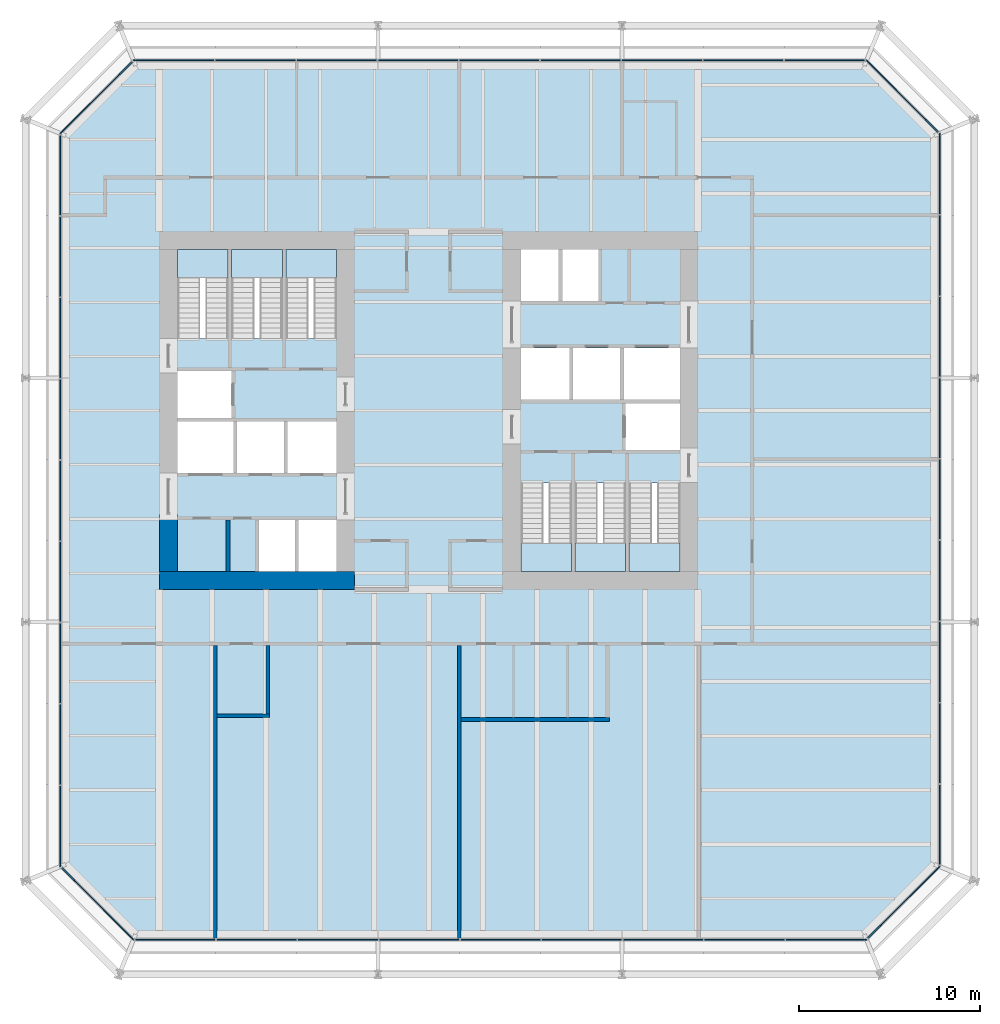
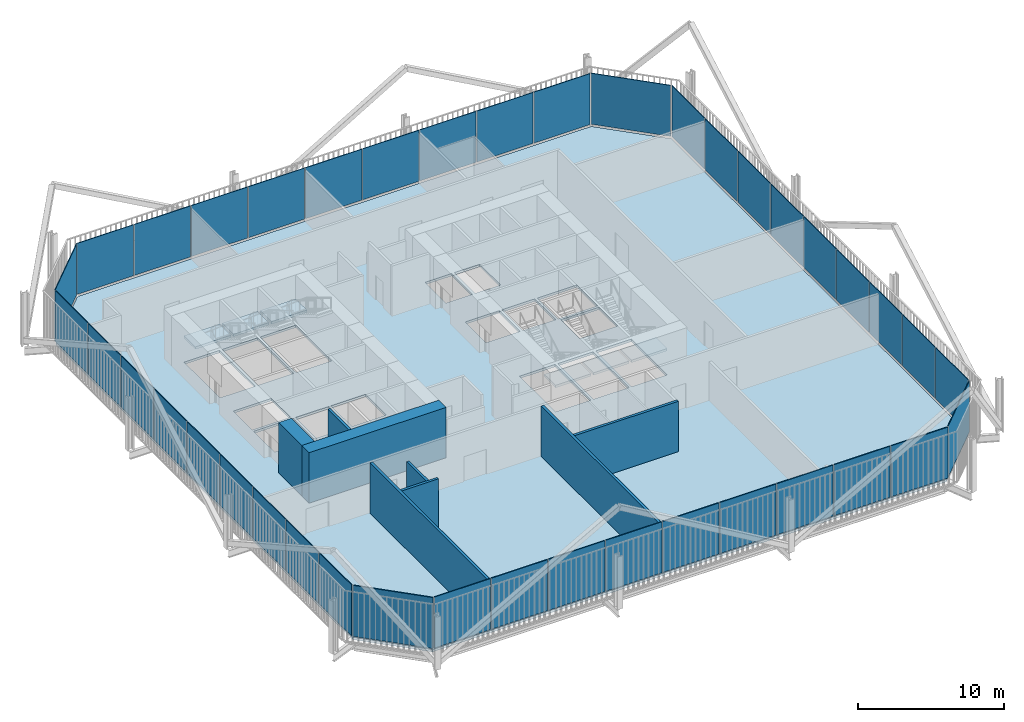
# One storey, part 16 of 21: 40 plates, 8 walls, 7 slabs, 14 elements without a shape of their own.
"""IFC4 building model written with IfcOpenShell, lengths in metres."""

from ifc_helpers import new_model, si_unit, direction, frame, frame_2d, origin, place, context, subcontext, project, spatial, polyline, rectangle, outline, extrude, material, layer, layer_set, type_object, element, aggregate, save


model = new_model("IFC4")

# Units and contexts
model_context = context("Model", 3, precision=1e-05, world=origin(), true_north=direction((0.0, 1.0)))
body_context = subcontext(model_context, "Body", "Model", "MODEL_VIEW")
ifc_project = project(units=[si_unit("LENGTHUNIT", "METRE"), si_unit("AREAUNIT", "SQUARE_METRE"), si_unit("VOLUMEUNIT", "CUBIC_METRE"), si_unit("PLANEANGLEUNIT", "RADIAN"), si_unit("MASSUNIT", "GRAM", prefix="KILO")], contexts=[model_context])

# Site, building, storey
site_placement = place(None, origin())
site = spatial("IfcSite", under=ifc_project, at=site_placement, CompositionType="ELEMENT")
building_placement = place(site_placement, origin())
building = spatial("IfcBuilding", under=site, at=building_placement, Name="Millrace Tower", CompositionType="ELEMENT")
storey_placement = place(building_placement, frame((0.0, 0.0, 82.0)))
storey = spatial("IfcBuildingStorey", under=building, at=storey_placement, Name="L18", CompositionType="ELEMENT", Elevation=82.0)

# Curtain wall, plate
ifc_material_1 = material(Name="Aluminium and glass", Category="aluminium")
ifc_layer_1 = layer(ifc_material_1, 0.14990234375)
ifc_layer_set_1 = layer_set([ifc_layer_1], Name="Aluminium and glass")
curtain_wall_type = type_object("IfcCurtainWallType", Name="CW-3 telecom floor curtain wall", PredefinedType="NOTDEFINED", material=ifc_layer_set_1)
placement_1 = place(storey_placement, origin())
curtain_wall_1 = element("IfcCurtainWall", 1, at=placement_1, inside=storey, type_object=curtain_wall_type, Name="Curtain wall B-F01 L18", PredefinedType="NOTDEFINED")
ifc_material_2 = material(Name="Glass", Category="glass")
ifc_layer_2 = layer(ifc_material_2, 0.06005859375)
ifc_layer_set_2 = layer_set([ifc_layer_2], Name="Glass")
plate_type = type_object("IfcPlateType", Name="CW-3 telecom floor curtain wall triple-glazed panel with spandrel", PredefinedType="CURTAIN_PANEL", material=ifc_layer_set_2)
placement_2 = place(storey_placement, frame((0.0, 0.0, 0.14990234375)))
plate_1 = element("IfcPlate", 2, at=placement_2, type_object=plate_type, Name="CW3 panel B-F01.1", PredefinedType="CURTAIN_PANEL", context=body_context, shape_type="SweptSolid", body=[
    extrude(outline(polyline([(-20.328369140625, -25.3203125), (-16.343505859375, -29.304931640625), (-16.318603515625, -29.2451171875), (-20.285888671875, -25.27783203125), (-20.328369140625, -25.3203125)])), origin(), (0.0, 0.0, 1.0), 4.25),
])
aggregate(curtain_wall_1, [plate_1])

# Curtain wall, plates
curtain_wall_2 = element("IfcCurtainWall", 3, at=placement_1, inside=storey, type_object=curtain_wall_type, Name="Curtain wall B-F02 L18", PredefinedType="NOTDEFINED")
plate_2 = element("IfcPlate", 4, at=placement_2, type_object=plate_type, Name="CW3 panel B-F02.1", PredefinedType="CURTAIN_PANEL", context=body_context, shape_type="SweptSolid", body=[
    extrude(outline(polyline([(-16.235107421875, -29.304931640625), (-11.800048828125, -29.304931640625), (-11.800048828125, -29.2451171875), (-16.235107421875, -29.2451171875), (-16.235107421875, -29.304931640625)])), origin(), (0.0, 0.0, 1.0), 4.25),
])
plate_3 = element("IfcPlate", 5, at=placement_2, type_object=plate_type, Name="CW3 panel B-F02.2", PredefinedType="CURTAIN_PANEL", context=body_context, shape_type="SweptSolid", body=[
    extrude(outline(polyline([(-11.735107421875, -29.304931640625), (-7.300048828125, -29.304931640625), (-7.300048828125, -29.2451171875), (-11.735107421875, -29.2451171875), (-11.735107421875, -29.304931640625)])), origin(), (0.0, 0.0, 1.0), 4.25),
])
plate_4 = element("IfcPlate", 6, at=placement_2, type_object=plate_type, Name="CW3 panel B-F02.3", PredefinedType="CURTAIN_PANEL", context=body_context, shape_type="SweptSolid", body=[
    extrude(outline(polyline([(-7.235107421875, -29.304931640625), (-2.800048828125, -29.304931640625), (-2.800048828125, -29.2451171875), (-7.235107421875, -29.2451171875), (-7.235107421875, -29.304931640625)])), origin(), (0.0, 0.0, 1.0), 4.25),
])
plate_5 = element("IfcPlate", 7, at=placement_2, type_object=plate_type, Name="CW3 panel B-F02.4", PredefinedType="CURTAIN_PANEL", context=body_context, shape_type="SweptSolid", body=[
    extrude(outline(polyline([(-2.735107421875, -29.304931640625), (1.699951171875, -29.304931640625), (1.699951171875, -29.2451171875), (-2.735107421875, -29.2451171875), (-2.735107421875, -29.304931640625)])), origin(), (0.0, 0.0, 1.0), 4.25),
])
plate_6 = element("IfcPlate", 8, at=placement_2, type_object=plate_type, Name="CW3 panel B-F02.5", PredefinedType="CURTAIN_PANEL", context=body_context, shape_type="SweptSolid", body=[
    extrude(outline(polyline([(1.764892578125, -29.304931640625), (6.199951171875, -29.304931640625), (6.199951171875, -29.2451171875), (1.764892578125, -29.2451171875), (1.764892578125, -29.304931640625)])), origin(), (0.0, 0.0, 1.0), 4.25),
])
plate_7 = element("IfcPlate", 9, at=placement_2, type_object=plate_type, Name="CW3 panel B-F02.6", PredefinedType="CURTAIN_PANEL", context=body_context, shape_type="SweptSolid", body=[
    extrude(outline(polyline([(6.264892578125, -29.304931640625), (10.699951171875, -29.304931640625), (10.699951171875, -29.2451171875), (6.264892578125, -29.2451171875), (6.264892578125, -29.304931640625)])), origin(), (0.0, 0.0, 1.0), 4.25),
])
plate_8 = element("IfcPlate", 10, at=placement_2, type_object=plate_type, Name="CW3 panel B-F02.7", PredefinedType="CURTAIN_PANEL", context=body_context, shape_type="SweptSolid", body=[
    extrude(outline(polyline([(10.764892578125, -29.304931640625), (15.199951171875, -29.304931640625), (15.199951171875, -29.2451171875), (10.764892578125, -29.2451171875), (10.764892578125, -29.304931640625)])), origin(), (0.0, 0.0, 1.0), 4.25),
])
plate_9 = element("IfcPlate", 11, at=placement_2, type_object=plate_type, Name="CW3 panel B-F02.8", PredefinedType="CURTAIN_PANEL", context=body_context, shape_type="SweptSolid", body=[
    extrude(outline(polyline([(15.264892578125, -29.304931640625), (19.699951171875, -29.304931640625), (19.699951171875, -29.2451171875), (15.264892578125, -29.2451171875), (15.264892578125, -29.304931640625)])), origin(), (0.0, 0.0, 1.0), 4.25),
])
plate_10 = element("IfcPlate", 12, at=placement_2, type_object=plate_type, Name="CW3 panel B-F02.9", PredefinedType="CURTAIN_PANEL", context=body_context, shape_type="SweptSolid", body=[
    extrude(outline(polyline([(19.764892578125, -29.304931640625), (24.243408203125, -29.304931640625), (24.21875, -29.2451171875), (19.764892578125, -29.2451171875), (19.764892578125, -29.304931640625)])), origin(), (0.0, 0.0, 1.0), 4.25),
])
aggregate(curtain_wall_2, [plate_2, plate_3, plate_4, plate_5, plate_6, plate_7, plate_8, plate_9, plate_10])

# Curtain wall, plate
curtain_wall_3 = element("IfcCurtainWall", 13, at=placement_1, inside=storey, type_object=curtain_wall_type, Name="Curtain wall B-F03 L18", PredefinedType="NOTDEFINED")
plate_11 = element("IfcPlate", 14, at=placement_2, type_object=plate_type, Name="CW3 panel B-F03.1", PredefinedType="CURTAIN_PANEL", context=body_context, shape_type="SweptSolid", body=[
    extrude(outline(polyline([(24.3203125, -29.228271484375), (28.304931640625, -25.243408203125), (28.2451171875, -25.21875), (24.27783203125, -29.185791015625), (24.3203125, -29.228271484375)])), origin(), (0.0, 0.0, 1.0), 4.25),
])
aggregate(curtain_wall_3, [plate_11])

# Curtain wall, plates
curtain_wall_4 = element("IfcCurtainWall", 15, at=placement_1, inside=storey, type_object=curtain_wall_type, Name="Curtain wall B-F04 L18", PredefinedType="NOTDEFINED")
plate_12 = element("IfcPlate", 16, at=placement_2, type_object=plate_type, Name="CW3 panel B-F04.1", PredefinedType="CURTAIN_PANEL", context=body_context, shape_type="SweptSolid", body=[
    extrude(outline(polyline([(28.304931640625, -25.135009765625), (28.304931640625, -20.699951171875), (28.2451171875, -20.699951171875), (28.2451171875, -25.135009765625), (28.304931640625, -25.135009765625)])), origin(), (0.0, 0.0, 1.0), 4.25),
])
plate_13 = element("IfcPlate", 17, at=placement_2, type_object=plate_type, Name="CW3 panel B-F04.2", PredefinedType="CURTAIN_PANEL", context=body_context, shape_type="SweptSolid", body=[
    extrude(outline(polyline([(28.304931640625, -20.635009765625), (28.304931640625, -16.199951171875), (28.2451171875, -16.199951171875), (28.2451171875, -20.635009765625), (28.304931640625, -20.635009765625)])), origin(), (0.0, 0.0, 1.0), 4.25),
])
plate_14 = element("IfcPlate", 18, at=placement_2, type_object=plate_type, Name="CW3 panel B-F04.3", PredefinedType="CURTAIN_PANEL", context=body_context, shape_type="SweptSolid", body=[
    extrude(outline(polyline([(28.304931640625, -16.135009765625), (28.304931640625, -11.699951171875), (28.2451171875, -11.699951171875), (28.2451171875, -16.135009765625), (28.304931640625, -16.135009765625)])), origin(), (0.0, 0.0, 1.0), 4.25),
])
plate_15 = element("IfcPlate", 19, at=placement_2, type_object=plate_type, Name="CW3 panel B-F04.4", PredefinedType="CURTAIN_PANEL", context=body_context, shape_type="SweptSolid", body=[
    extrude(outline(polyline([(28.304931640625, -11.635009765625), (28.304931640625, -7.199951171875), (28.2451171875, -7.199951171875), (28.2451171875, -11.635009765625), (28.304931640625, -11.635009765625)])), origin(), (0.0, 0.0, 1.0), 4.25),
])
plate_16 = element("IfcPlate", 20, at=placement_2, type_object=plate_type, Name="CW3 panel B-F04.5", PredefinedType="CURTAIN_PANEL", context=body_context, shape_type="SweptSolid", body=[
    extrude(outline(polyline([(28.304931640625, -7.135009765625), (28.304931640625, -2.699951171875), (28.2451171875, -2.699951171875), (28.2451171875, -7.135009765625), (28.304931640625, -7.135009765625)])), origin(), (0.0, 0.0, 1.0), 4.25),
])
plate_17 = element("IfcPlate", 21, at=placement_2, type_object=plate_type, Name="CW3 panel B-F04.6", PredefinedType="CURTAIN_PANEL", context=body_context, shape_type="SweptSolid", body=[
    extrude(outline(polyline([(28.304931640625, -2.635009765625), (28.304931640625, 1.800048828125), (28.2451171875, 1.800048828125), (28.2451171875, -2.635009765625), (28.304931640625, -2.635009765625)])), origin(), (0.0, 0.0, 1.0), 4.25),
])
plate_18 = element("IfcPlate", 22, at=placement_2, type_object=plate_type, Name="CW3 panel B-F04.7", PredefinedType="CURTAIN_PANEL", context=body_context, shape_type="SweptSolid", body=[
    extrude(outline(polyline([(28.304931640625, 1.864990234375), (28.304931640625, 6.300048828125), (28.2451171875, 6.300048828125), (28.2451171875, 1.864990234375), (28.304931640625, 1.864990234375)])), origin(), (0.0, 0.0, 1.0), 4.25),
])
plate_19 = element("IfcPlate", 23, at=placement_2, type_object=plate_type, Name="CW3 panel B-F04.8", PredefinedType="CURTAIN_PANEL", context=body_context, shape_type="SweptSolid", body=[
    extrude(outline(polyline([(28.304931640625, 6.364990234375), (28.304931640625, 10.800048828125), (28.2451171875, 10.800048828125), (28.2451171875, 6.364990234375), (28.304931640625, 6.364990234375)])), origin(), (0.0, 0.0, 1.0), 4.25),
])
plate_20 = element("IfcPlate", 24, at=placement_2, type_object=plate_type, Name="CW3 panel B-F04.9", PredefinedType="CURTAIN_PANEL", context=body_context, shape_type="SweptSolid", body=[
    extrude(outline(polyline([(28.304931640625, 10.864990234375), (28.304931640625, 15.343505859375), (28.2451171875, 15.318603515625), (28.2451171875, 10.864990234375), (28.304931640625, 10.864990234375)])), origin(), (0.0, 0.0, 1.0), 4.25),
])
aggregate(curtain_wall_4, [plate_12, plate_13, plate_14, plate_15, plate_16, plate_17, plate_18, plate_19, plate_20])

# Curtain wall, plate
curtain_wall_5 = element("IfcCurtainWall", 25, at=placement_1, inside=storey, type_object=curtain_wall_type, Name="Curtain wall B-F05 L18", PredefinedType="NOTDEFINED")
plate_21 = element("IfcPlate", 26, at=placement_2, type_object=plate_type, Name="CW3 panel B-F05.1", PredefinedType="CURTAIN_PANEL", context=body_context, shape_type="SweptSolid", body=[
    extrude(outline(polyline([(28.228271484375, 15.420166015625), (24.243408203125, 19.405029296875), (24.21875, 19.344970703125), (28.185791015625, 15.377685546875), (28.228271484375, 15.420166015625)])), origin(), (0.0, 0.0, 1.0), 4.25),
])
aggregate(curtain_wall_5, [plate_21])

# Curtain wall, plates
curtain_wall_6 = element("IfcCurtainWall", 27, at=placement_1, inside=storey, type_object=curtain_wall_type, Name="Curtain wall B-F06 L18", PredefinedType="NOTDEFINED")
plate_22 = element("IfcPlate", 28, at=placement_2, type_object=plate_type, Name="CW3 panel B-F06.1", PredefinedType="CURTAIN_PANEL", context=body_context, shape_type="SweptSolid", body=[
    extrude(outline(polyline([(24.135009765625, 19.405029296875), (19.699951171875, 19.405029296875), (19.699951171875, 19.344970703125), (24.135009765625, 19.344970703125), (24.135009765625, 19.405029296875)])), origin(), (0.0, 0.0, 1.0), 4.25),
])
plate_23 = element("IfcPlate", 29, at=placement_2, type_object=plate_type, Name="CW3 panel B-F06.2", PredefinedType="CURTAIN_PANEL", context=body_context, shape_type="SweptSolid", body=[
    extrude(outline(polyline([(19.635009765625, 19.405029296875), (15.199951171875, 19.405029296875), (15.199951171875, 19.344970703125), (19.635009765625, 19.344970703125), (19.635009765625, 19.405029296875)])), origin(), (0.0, 0.0, 1.0), 4.25),
])
plate_24 = element("IfcPlate", 30, at=placement_2, type_object=plate_type, Name="CW3 panel B-F06.3", PredefinedType="CURTAIN_PANEL", context=body_context, shape_type="SweptSolid", body=[
    extrude(outline(polyline([(15.135009765625, 19.405029296875), (10.699951171875, 19.405029296875), (10.699951171875, 19.344970703125), (15.135009765625, 19.344970703125), (15.135009765625, 19.405029296875)])), origin(), (0.0, 0.0, 1.0), 4.25),
])
plate_25 = element("IfcPlate", 31, at=placement_2, type_object=plate_type, Name="CW3 panel B-F06.4", PredefinedType="CURTAIN_PANEL", context=body_context, shape_type="SweptSolid", body=[
    extrude(outline(polyline([(10.635009765625, 19.405029296875), (6.199951171875, 19.405029296875), (6.199951171875, 19.344970703125), (10.635009765625, 19.344970703125), (10.635009765625, 19.405029296875)])), origin(), (0.0, 0.0, 1.0), 4.25),
])
plate_26 = element("IfcPlate", 32, at=placement_2, type_object=plate_type, Name="CW3 panel B-F06.5", PredefinedType="CURTAIN_PANEL", context=body_context, shape_type="SweptSolid", body=[
    extrude(outline(polyline([(6.135009765625, 19.405029296875), (1.699951171875, 19.405029296875), (1.699951171875, 19.344970703125), (6.135009765625, 19.344970703125), (6.135009765625, 19.405029296875)])), origin(), (0.0, 0.0, 1.0), 4.25),
])
plate_27 = element("IfcPlate", 33, at=placement_2, type_object=plate_type, Name="CW3 panel B-F06.6", PredefinedType="CURTAIN_PANEL", context=body_context, shape_type="SweptSolid", body=[
    extrude(outline(polyline([(1.635009765625, 19.405029296875), (-2.800048828125, 19.405029296875), (-2.800048828125, 19.344970703125), (1.635009765625, 19.344970703125), (1.635009765625, 19.405029296875)])), origin(), (0.0, 0.0, 1.0), 4.25),
])
plate_28 = element("IfcPlate", 34, at=placement_2, type_object=plate_type, Name="CW3 panel B-F06.7", PredefinedType="CURTAIN_PANEL", context=body_context, shape_type="SweptSolid", body=[
    extrude(outline(polyline([(-2.864990234375, 19.405029296875), (-7.300048828125, 19.405029296875), (-7.300048828125, 19.344970703125), (-2.864990234375, 19.344970703125), (-2.864990234375, 19.405029296875)])), origin(), (0.0, 0.0, 1.0), 4.25),
])
plate_29 = element("IfcPlate", 35, at=placement_2, type_object=plate_type, Name="CW3 panel B-F06.8", PredefinedType="CURTAIN_PANEL", context=body_context, shape_type="SweptSolid", body=[
    extrude(outline(polyline([(-7.364990234375, 19.405029296875), (-11.800048828125, 19.405029296875), (-11.800048828125, 19.344970703125), (-7.364990234375, 19.344970703125), (-7.364990234375, 19.405029296875)])), origin(), (0.0, 0.0, 1.0), 4.25),
])
plate_30 = element("IfcPlate", 36, at=placement_2, type_object=plate_type, Name="CW3 panel B-F06.9", PredefinedType="CURTAIN_PANEL", context=body_context, shape_type="SweptSolid", body=[
    extrude(outline(polyline([(-11.864990234375, 19.405029296875), (-16.343505859375, 19.405029296875), (-16.318603515625, 19.344970703125), (-11.864990234375, 19.344970703125), (-11.864990234375, 19.405029296875)])), origin(), (0.0, 0.0, 1.0), 4.25),
])
aggregate(curtain_wall_6, [plate_22, plate_23, plate_24, plate_25, plate_26, plate_27, plate_28, plate_29, plate_30])

# Curtain wall, plate
curtain_wall_7 = element("IfcCurtainWall", 37, at=placement_1, inside=storey, type_object=curtain_wall_type, Name="Curtain wall B-F07 L18", PredefinedType="NOTDEFINED")
plate_31 = element("IfcPlate", 38, at=placement_2, type_object=plate_type, Name="CW3 panel B-F07.1", PredefinedType="CURTAIN_PANEL", context=body_context, shape_type="SweptSolid", body=[
    extrude(outline(polyline([(-16.420166015625, 19.328369140625), (-20.405029296875, 15.343505859375), (-20.344970703125, 15.318603515625), (-16.377685546875, 19.285888671875), (-16.420166015625, 19.328369140625)])), origin(), (0.0, 0.0, 1.0), 4.25),
])
aggregate(curtain_wall_7, [plate_31])

# Curtain wall, plates
curtain_wall_8 = element("IfcCurtainWall", 39, at=placement_1, inside=storey, type_object=curtain_wall_type, Name="Curtain wall B-F08 L18", PredefinedType="NOTDEFINED")
plate_32 = element("IfcPlate", 40, at=placement_2, type_object=plate_type, Name="CW3 panel B-F08.1", PredefinedType="CURTAIN_PANEL", context=body_context, shape_type="SweptSolid", body=[
    extrude(outline(polyline([(-20.405029296875, 15.235107421875), (-20.405029296875, 10.800048828125), (-20.344970703125, 10.800048828125), (-20.344970703125, 15.235107421875), (-20.405029296875, 15.235107421875)])), origin(), (0.0, 0.0, 1.0), 4.25),
])
plate_33 = element("IfcPlate", 41, at=placement_2, type_object=plate_type, Name="CW3 panel B-F08.2", PredefinedType="CURTAIN_PANEL", context=body_context, shape_type="SweptSolid", body=[
    extrude(outline(polyline([(-20.405029296875, 10.735107421875), (-20.405029296875, 6.300048828125), (-20.344970703125, 6.300048828125), (-20.344970703125, 10.735107421875), (-20.405029296875, 10.735107421875)])), origin(), (0.0, 0.0, 1.0), 4.25),
])
plate_34 = element("IfcPlate", 42, at=placement_2, type_object=plate_type, Name="CW3 panel B-F08.3", PredefinedType="CURTAIN_PANEL", context=body_context, shape_type="SweptSolid", body=[
    extrude(outline(polyline([(-20.405029296875, 6.235107421875), (-20.405029296875, 1.800048828125), (-20.344970703125, 1.800048828125), (-20.344970703125, 6.235107421875), (-20.405029296875, 6.235107421875)])), origin(), (0.0, 0.0, 1.0), 4.25),
])
plate_35 = element("IfcPlate", 43, at=placement_2, type_object=plate_type, Name="CW3 panel B-F08.4", PredefinedType="CURTAIN_PANEL", context=body_context, shape_type="SweptSolid", body=[
    extrude(outline(polyline([(-20.405029296875, 1.735107421875), (-20.405029296875, -2.699951171875), (-20.344970703125, -2.699951171875), (-20.344970703125, 1.735107421875), (-20.405029296875, 1.735107421875)])), origin(), (0.0, 0.0, 1.0), 4.25),
])
plate_36 = element("IfcPlate", 44, at=placement_2, type_object=plate_type, Name="CW3 panel B-F08.5", PredefinedType="CURTAIN_PANEL", context=body_context, shape_type="SweptSolid", body=[
    extrude(outline(polyline([(-20.405029296875, -2.764892578125), (-20.405029296875, -7.199951171875), (-20.344970703125, -7.199951171875), (-20.344970703125, -2.764892578125), (-20.405029296875, -2.764892578125)])), origin(), (0.0, 0.0, 1.0), 4.25),
])
plate_37 = element("IfcPlate", 45, at=placement_2, type_object=plate_type, Name="CW3 panel B-F08.6", PredefinedType="CURTAIN_PANEL", context=body_context, shape_type="SweptSolid", body=[
    extrude(outline(polyline([(-20.405029296875, -7.264892578125), (-20.405029296875, -11.699951171875), (-20.344970703125, -11.699951171875), (-20.344970703125, -7.264892578125), (-20.405029296875, -7.264892578125)])), origin(), (0.0, 0.0, 1.0), 4.25),
])
plate_38 = element("IfcPlate", 46, at=placement_2, type_object=plate_type, Name="CW3 panel B-F08.7", PredefinedType="CURTAIN_PANEL", context=body_context, shape_type="SweptSolid", body=[
    extrude(outline(polyline([(-20.405029296875, -11.764892578125), (-20.405029296875, -16.199951171875), (-20.344970703125, -16.199951171875), (-20.344970703125, -11.764892578125), (-20.405029296875, -11.764892578125)])), origin(), (0.0, 0.0, 1.0), 4.25),
])
plate_39 = element("IfcPlate", 47, at=placement_2, type_object=plate_type, Name="CW3 panel B-F08.8", PredefinedType="CURTAIN_PANEL", context=body_context, shape_type="SweptSolid", body=[
    extrude(outline(polyline([(-20.405029296875, -16.264892578125), (-20.405029296875, -20.699951171875), (-20.344970703125, -20.699951171875), (-20.344970703125, -16.264892578125), (-20.405029296875, -16.264892578125)])), origin(), (0.0, 0.0, 1.0), 4.25),
])
plate_40 = element("IfcPlate", 48, at=placement_2, type_object=plate_type, Name="CW3 panel B-F08.9", PredefinedType="CURTAIN_PANEL", context=body_context, shape_type="SweptSolid", body=[
    extrude(outline(polyline([(-20.405029296875, -20.764892578125), (-20.405029296875, -25.243408203125), (-20.344970703125, -25.21875), (-20.344970703125, -20.764892578125), (-20.405029296875, -20.764892578125)])), origin(), (0.0, 0.0, 1.0), 4.25),
])
aggregate(curtain_wall_8, [plate_32, plate_33, plate_34, plate_35, plate_36, plate_37, plate_38, plate_39, plate_40])

# Slab
ifc_material_3 = material(Name="Concrete C35 on steel deck", Category="concrete")
ifc_layer_3 = layer(ifc_material_3, 0.199951171875)
ifc_layer_set_3 = layer_set([ifc_layer_3], Name="Concrete C35 on steel deck")
slab_type_1 = type_object("IfcSlabType", Name="Composite floor slab 200 mm", PredefinedType="FLOOR", material=ifc_layer_set_3)
slab_1_placement = place(storey_placement, frame((0.0, 0.0, -0.199951171875)))
element("IfcSlab", 49, at=slab_1_placement, inside=storey, type_object=slab_type_1, Name="SL-B-L18-S1", PredefinedType="FLOOR", context=body_context, shape_type="SweptSolid", body=[
    extrude(outline(polyline([(-20.300048828125, -25.199951171875), (-16.300048828125, -29.199951171875), (24.199951171875, -29.199951171875), (28.199951171875, -25.199951171875), (28.199951171875, 15.300048828125), (24.199951171875, 19.300048828125), (-16.300048828125, 19.300048828125), (-20.300048828125, 15.300048828125), (-20.300048828125, -25.199951171875)]), holes=[polyline([(-9.39990234375, -8.89990234375), (-7.39990234375, -8.89990234375), (-7.39990234375, -6.050048828125), (-9.39990234375, -6.050048828125), (-9.39990234375, -8.89990234375)]), polyline([(-7.199951171875, -8.89990234375), (-5.10009765625, -8.89990234375), (-5.10009765625, -6.050048828125), (-7.199951171875, -6.050048828125), (-7.199951171875, -8.89990234375)]), polyline([(-13.89990234375, -3.449951171875), (-10.800048828125, -3.449951171875), (-10.800048828125, -0.60009765625), (-13.89990234375, -0.60009765625), (-13.89990234375, -3.449951171875)]), polyline([(-10.60009765625, -3.449951171875), (-8.0, -3.449951171875), (-8.0, -0.60009765625), (-10.60009765625, -0.60009765625), (-10.60009765625, -3.449951171875)]), polyline([(-7.800048828125, -3.449951171875), (-5.10009765625, -3.449951171875), (-5.10009765625, -0.60009765625), (-7.800048828125, -0.60009765625), (-7.800048828125, -3.449951171875)]), polyline([(-13.89990234375, -0.39990234375), (-10.89990234375, -0.39990234375), (-10.89990234375, 2.179931640625), (-13.89990234375, 2.179931640625), (-13.89990234375, -0.39990234375)]), polyline([(-13.89990234375, 4.0), (-11.10009765625, 4.0), (-11.10009765625, 8.89990234375), (-13.89990234375, 8.89990234375), (-13.89990234375, 4.0)]), polyline([(-10.89990234375, 4.0), (-8.10009765625, 4.0), (-8.10009765625, 8.89990234375), (-10.89990234375, 8.89990234375), (-10.89990234375, 4.0)]), polyline([(-7.89990234375, 4.0), (-5.10009765625, 4.0), (-5.10009765625, 8.89990234375), (-7.89990234375, 8.89990234375), (-7.89990234375, 4.0)]), polyline([(7.39990234375, 6.050048828125), (9.39990234375, 6.050048828125), (9.39990234375, 8.89990234375), (7.39990234375, 8.89990234375), (7.39990234375, 6.050048828125)]), polyline([(5.10009765625, 6.050048828125), (7.199951171875, 6.050048828125), (7.199951171875, 8.89990234375), (5.10009765625, 8.89990234375), (5.10009765625, 6.050048828125)]), polyline([(10.800048828125, 0.60009765625), (13.89990234375, 0.60009765625), (13.89990234375, 3.449951171875), (10.800048828125, 3.449951171875), (10.800048828125, 0.60009765625)]), polyline([(8.0, 0.60009765625), (10.60009765625, 0.60009765625), (10.60009765625, 3.449951171875), (8.0, 3.449951171875), (8.0, 0.60009765625)]), polyline([(5.10009765625, 0.60009765625), (7.800048828125, 0.60009765625), (7.800048828125, 3.449951171875), (5.10009765625, 3.449951171875), (5.10009765625, 0.60009765625)]), polyline([(10.89990234375, -2.179931640625), (13.89990234375, -2.179931640625), (13.89990234375, 0.39990234375), (10.89990234375, 0.39990234375), (10.89990234375, -2.179931640625)]), polyline([(11.10009765625, -8.89990234375), (13.89990234375, -8.89990234375), (13.89990234375, -4.0), (11.10009765625, -4.0), (11.10009765625, -8.89990234375)]), polyline([(8.10009765625, -8.89990234375), (10.89990234375, -8.89990234375), (10.89990234375, -4.0), (8.10009765625, -4.0), (8.10009765625, -8.89990234375)]), polyline([(5.10009765625, -8.89990234375), (7.89990234375, -8.89990234375), (7.89990234375, -4.0), (5.10009765625, -4.0), (5.10009765625, -8.89990234375)])]), origin(), (0.0, 0.0, 1.0), 0.199951171875),
])

# Stair, slab
ifc_material_4 = material(Name="Concrete C35", Category="concrete")
stair_type = type_object("IfcStairType", Name="Exit stair", PredefinedType="HALF_TURN_STAIR", material=ifc_material_4)
stair_1 = element("IfcStair", 50, at=placement_1, inside=storey, type_object=stair_type, Name="Stair 1 W L18", PredefinedType="HALF_TURN_STAIR")
ifc_material_5 = material(Name="Concrete C40", Category="concrete")
ifc_layer_4 = layer(ifc_material_5, 0.199951171875)
ifc_layer_set_4 = layer_set([ifc_layer_4], Name="Concrete C40")
slab_type_2 = type_object("IfcSlabType", Name="Stair landing", PredefinedType="LANDING", material=ifc_layer_set_4)
placement_3 = place(storey_placement, frame((0.0, 0.0, 2.0)))
slab_2 = element("IfcSlab", 51, at=placement_3, type_object=slab_type_2, Name="ST12 landing 1", PredefinedType="LANDING", context=body_context, shape_type="SweptSolid", body=[
    extrude(outline(polyline([(-13.89990234375, 7.360107421875), (-11.10009765625, 7.360107421875), (-11.10009765625, 8.89990234375), (-13.89990234375, 8.89990234375), (-13.89990234375, 7.360107421875)])), origin(), (0.0, 0.0, 1.0), 0.199951171875),
])
aggregate(stair_1, [slab_2])

stair_2 = element("IfcStair", 52, at=placement_1, inside=storey, type_object=stair_type, Name="Stair 2 W L18", PredefinedType="HALF_TURN_STAIR")
slab_3 = element("IfcSlab", 53, at=placement_3, type_object=slab_type_2, Name="ST12 landing 1", PredefinedType="LANDING", context=body_context, shape_type="SweptSolid", body=[
    extrude(outline(polyline([(-10.89990234375, 7.360107421875), (-8.10009765625, 7.360107421875), (-8.10009765625, 8.89990234375), (-10.89990234375, 8.89990234375), (-10.89990234375, 7.360107421875)])), origin(), (0.0, 0.0, 1.0), 0.199951171875),
])
aggregate(stair_2, [slab_3])

stair_3 = element("IfcStair", 54, at=placement_1, inside=storey, type_object=stair_type, Name="Stair 3 W L18", PredefinedType="HALF_TURN_STAIR")
slab_4 = element("IfcSlab", 55, at=placement_3, type_object=slab_type_2, Name="ST12 landing 1", PredefinedType="LANDING", context=body_context, shape_type="SweptSolid", body=[
    extrude(outline(polyline([(-7.89990234375, 7.360107421875), (-5.10009765625, 7.360107421875), (-5.10009765625, 8.89990234375), (-7.89990234375, 8.89990234375), (-7.89990234375, 7.360107421875)])), origin(), (0.0, 0.0, 1.0), 0.199951171875),
])
aggregate(stair_3, [slab_4])

stair_4 = element("IfcStair", 56, at=placement_1, inside=storey, type_object=stair_type, Name="Stair 1 E L18", PredefinedType="HALF_TURN_STAIR")
slab_5 = element("IfcSlab", 57, at=placement_3, type_object=slab_type_2, Name="ST12 landing 1", PredefinedType="LANDING", context=body_context, shape_type="SweptSolid", body=[
    extrude(outline(polyline([(11.10009765625, -8.89990234375), (13.89990234375, -8.89990234375), (13.89990234375, -7.360107421875), (11.10009765625, -7.360107421875), (11.10009765625, -8.89990234375)])), origin(), (0.0, 0.0, 1.0), 0.199951171875),
])
aggregate(stair_4, [slab_5])

stair_5 = element("IfcStair", 58, at=placement_1, inside=storey, type_object=stair_type, Name="Stair 2 E L18", PredefinedType="HALF_TURN_STAIR")
slab_6 = element("IfcSlab", 59, at=placement_3, type_object=slab_type_2, Name="ST12 landing 1", PredefinedType="LANDING", context=body_context, shape_type="SweptSolid", body=[
    extrude(outline(polyline([(8.10009765625, -8.89990234375), (10.89990234375, -8.89990234375), (10.89990234375, -7.360107421875), (8.10009765625, -7.360107421875), (8.10009765625, -8.89990234375)])), origin(), (0.0, 0.0, 1.0), 0.199951171875),
])
aggregate(stair_5, [slab_6])

stair_6 = element("IfcStair", 60, at=placement_1, inside=storey, type_object=stair_type, Name="Stair 3 E L18", PredefinedType="HALF_TURN_STAIR")
slab_7 = element("IfcSlab", 61, at=placement_3, type_object=slab_type_2, Name="ST12 landing 1", PredefinedType="LANDING", context=body_context, shape_type="SweptSolid", body=[
    extrude(outline(polyline([(5.10009765625, -8.89990234375), (7.89990234375, -8.89990234375), (7.89990234375, -7.360107421875), (5.10009765625, -7.360107421875), (5.10009765625, -8.89990234375)])), origin(), (0.0, 0.0, 1.0), 0.199951171875),
])
aggregate(stair_6, [slab_7])

# Walls
ifc_material_6 = material(Name="Concrete C80", Category="concrete")
ifc_layer_5 = layer(ifc_material_6, 1.0)
ifc_layer_set_5 = layer_set([ifc_layer_5], Name="Concrete C80")
wall_type_1 = type_object("IfcWallType", Name="Core wall 1000 Concrete C80", PredefinedType="SHEAR", material=ifc_layer_set_5)
wall_1_placement = place(storey_placement, frame((-14.89990234375, -9.39990234375, 0.0), z_axis=(0.0, 0.0, 1.0), x_axis=(1.0, 0.0, 0.0)))
element("IfcWall", 62, at=wall_1_placement, inside=storey, type_object=wall_type_1, Name="Core wall W L18", PredefinedType="SHEAR", context=body_context, shape_type="SweptSolid", body=[
    extrude(rectangle(XDim=10.7998046875, YDim=1.0, at=frame_2d((5.39990234375, 0.0))), origin(), (0.0, 0.0, 1.0), 4.199951171875),
])
wall_2_placement = place(storey_placement, frame((-14.39990234375, -8.89990234375, 0.0), z_axis=(0.0, 0.0, 1.0), x_axis=(0.0, 1.0, 0.0)))
element("IfcWall", 63, at=wall_2_placement, inside=storey, type_object=wall_type_1, Name="Core wall W L18", PredefinedType="SHEAR", context=body_context, shape_type="SweptSolid", body=[
    extrude(rectangle(XDim=3.14990234375, YDim=1.0, at=frame_2d((1.574951171875, 0.0))), origin(), (0.0, 0.0, 1.0), 4.199951171875),
])
ifc_material_7 = material(Name="Masonry partition, fire-rated", Category="masonry")
ifc_layer_6 = layer(ifc_material_7, 0.199951171875)
ifc_layer_set_6 = layer_set([ifc_layer_6], Name="Masonry partition, fire-rated")
wall_type_2 = type_object("IfcWallType", Name="Corridor wall 200", PredefinedType="PARTITIONING", material=ifc_layer_set_6)
wall_3_placement = place(storey_placement, frame((1.800048828125, -17.10009765625, 0.0), z_axis=(0.0, 0.0, 1.0), x_axis=(1.0, 0.0, 0.0)))
element("IfcWall", 64, at=wall_3_placement, inside=storey, type_object=wall_type_2, Name="Corridor wall L18", PredefinedType="PARTITIONING", context=body_context, shape_type="SweptSolid", body=[
    extrude(rectangle(XDim=8.199951171875, YDim=0.199951171875, at=frame_2d((4.10009765625, 0.0))), origin(), (0.0, 0.0, 1.0), 4.199951171875),
])
wall_4_placement = place(storey_placement, frame((-11.699951171875, -16.89990234375, 0.0), z_axis=(0.0, 0.0, 1.0), x_axis=(1.0, 0.0, 0.0)))
element("IfcWall", 65, at=wall_4_placement, inside=storey, type_object=wall_type_2, Name="Corridor wall L18", PredefinedType="PARTITIONING", context=body_context, shape_type="SweptSolid", body=[
    extrude(rectangle(XDim=2.89990234375, YDim=0.199951171875, at=frame_2d((1.449951171875, 0.0))), origin(), (0.0, 0.0, 1.0), 4.199951171875),
])
wall_5_placement = place(storey_placement, frame((1.699951171875, -29.22998046875, 0.0), z_axis=(0.0, 0.0, 1.0), x_axis=(0.0, 1.0, 0.0)))
element("IfcWall", 66, at=wall_5_placement, inside=storey, type_object=wall_type_2, Name="Corridor wall L18", PredefinedType="PARTITIONING", context=body_context, shape_type="SweptSolid", body=[
    extrude(rectangle(XDim=16.22998046875, YDim=0.199951171875, at=frame_2d((8.114990234375, 0.0))), origin(), (0.0, 0.0, 1.0), 4.199951171875),
])
wall_6_placement = place(storey_placement, frame((-8.89990234375, -16.800048828125, 0.0), z_axis=(0.0, 0.0, 1.0), x_axis=(0.0, 1.0, 0.0)))
element("IfcWall", 67, at=wall_6_placement, inside=storey, type_object=wall_type_2, Name="Corridor wall L18", PredefinedType="PARTITIONING", context=body_context, shape_type="SweptSolid", body=[
    extrude(rectangle(XDim=3.800048828125, YDim=0.199951171875, at=frame_2d((1.89990234375, 0.0))), origin(), (0.0, 0.0, 1.0), 3.27294921875),
])
wall_7_placement = place(storey_placement, frame((-11.800048828125, -29.22998046875, 0.0), z_axis=(0.0, 0.0, 1.0), x_axis=(0.0, 1.0, 0.0)))
element("IfcWall", 68, at=wall_7_placement, inside=storey, type_object=wall_type_2, Name="Corridor wall L18", PredefinedType="PARTITIONING", context=body_context, shape_type="SweptSolid", body=[
    extrude(rectangle(XDim=16.22998046875, YDim=0.199951171875, at=frame_2d((8.114990234375, 0.0))), origin(), (0.0, 0.0, 1.0), 4.199951171875),
])
ifc_material_8 = material(Name="Masonry partition, fire-rated", Category="masonry")
ifc_layer_7 = layer(ifc_material_8, 0.199951171875)
ifc_layer_set_7 = layer_set([ifc_layer_7], Name="Masonry partition, fire-rated")
wall_type_3 = type_object("IfcWallType", Name="Room partition 200", PredefinedType="PARTITIONING", material=ifc_layer_set_7)
wall_8_placement = place(storey_placement, frame((-11.10498046875, -8.89990234375, 0.0), z_axis=(0.0, 0.0, 1.0), x_axis=(0.0, 1.0, 0.0)))
element("IfcWall", 69, at=wall_8_placement, inside=storey, type_object=wall_type_3, Name="Room partition W L18", PredefinedType="PARTITIONING", context=body_context, shape_type="SweptSolid", body=[
    extrude(rectangle(XDim=2.849853515625, YDim=0.199951171875, at=frame_2d((1.4248046875, 0.0))), origin(), (0.0, 0.0, 1.0), 4.199951171875),
])

save(model, "model.ifc")
